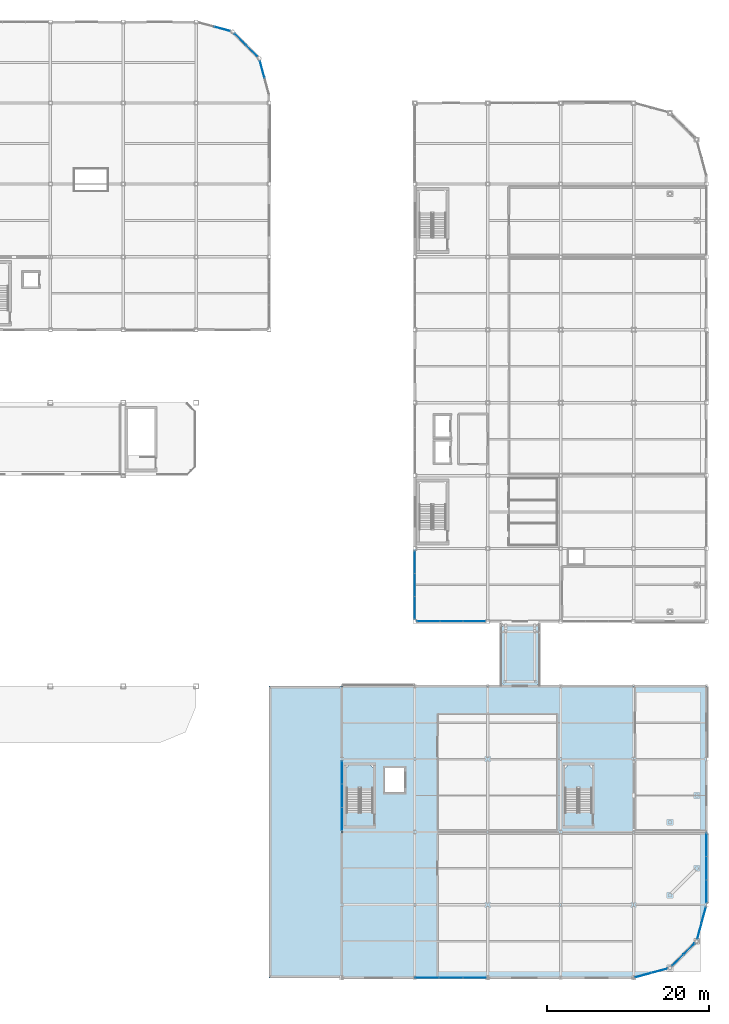
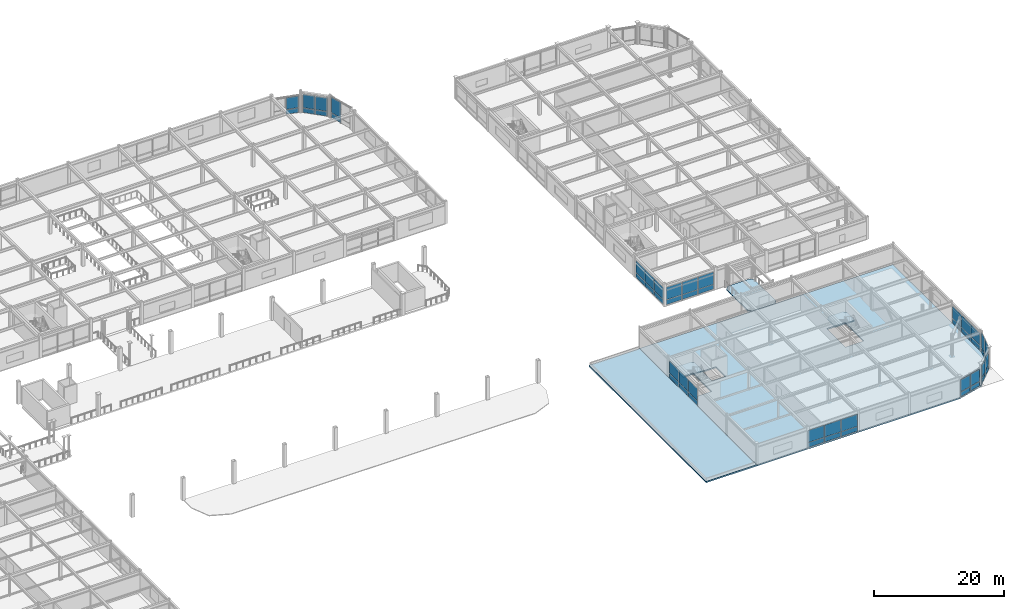
# One storey, part 65 of 105: 50 plates, 5 slabs, 13 elements without a shape of their own.
"""IFC4 building model written with IfcOpenShell, lengths in metres."""

import ifcopenshell
import ifcopenshell.guid

model = None  # the IFC model being written
_history = None  # IfcOwnerHistory: only IFC2X3 demands one
_inside = {}  # id of a spatial element -> (the spatial element, [elements in it])
_under = {}  # id of a project, library or spatial element -> (it, [spatial elements below it])
_declared = {}  # id of a project -> (the project, [libraries it declares])
_typed = {}  # id of a type object -> (the type object, [elements of that type])
_made_of = {}  # id of a material, layer set ... -> (it, [elements and type objects made of it])


def new_model(schema):
    """Start an empty IFC model of exactly this schema.

    Asked for "IFC4X3", IfcOpenShell would pick the latest addendum, in which some entities
    have other attributes; the version numbers below select the first issue.
    IFC2X3 requires an IfcOwnerHistory on every rooted entity: one is made here for all.
    """
    global model, _history
    if schema == "IFC4X3":
        model = ifcopenshell.file(schema_version=(4, 3, 0, 0))
    else:
        model = ifcopenshell.file(schema=schema)
    _inside.clear()
    _under.clear()
    _declared.clear()
    _typed.clear()
    _made_of.clear()
    _history = None
    if model.schema == "IFC2X3":
        org = make("IfcOrganization", Name="unknown")
        user = make(
            "IfcPersonAndOrganization",
            ThePerson=make("IfcPerson", FamilyName="unknown"),
            TheOrganization=org,
        )
        app = make(
            "IfcApplication",
            ApplicationDeveloper=org,
            Version="unknown",
            ApplicationFullName="unknown",
            ApplicationIdentifier="unknown",
        )
        _history = make(
            "IfcOwnerHistory",
            OwningUser=user,
            OwningApplication=app,
            ChangeAction="ADDED",
            CreationDate=0,
        )
    return model


def make(cls, **values):
    """One entity of the class cls with the attributes given. An attribute that is None is left unset."""
    return model.create_entity(
        cls, **{name: value for name, value in values.items() if value is not None}
    )


def rooted(cls, **values):
    """An entity with a GlobalId (a new one), such as an element, a storey or a relation."""
    return make(cls, GlobalId=ifcopenshell.guid.new(), OwnerHistory=_history, **values)


def si_unit(unit_type, name, prefix=None):
    """IfcSIUnit, for example si_unit("LENGTHUNIT", "METRE", prefix="MILLI")."""
    return make("IfcSIUnit", UnitType=unit_type, Prefix=prefix, Name=name)


def assignment(units):
    """IfcUnitAssignment: the units of a project."""
    return None if units is None else make("IfcUnitAssignment", Units=units)


def point(xyz):
    """IfcCartesianPoint."""
    return None if xyz is None else make("IfcCartesianPoint", Coordinates=xyz)


def direction(xyz):
    """IfcDirection."""
    return None if xyz is None else make("IfcDirection", DirectionRatios=xyz)


def frame(location, z_axis=None, x_axis=None):
    """IfcAxis2Placement3D, a coordinate frame: its origin and axes. An axis left out is left unset."""
    return make(
        "IfcAxis2Placement3D",
        Location=point(location),
        Axis=direction(z_axis),
        RefDirection=direction(x_axis),
    )


def frame_2d(location, x_axis=None):
    """IfcAxis2Placement2D, a coordinate frame in the plane: its origin and x axis."""
    return make(
        "IfcAxis2Placement2D", Location=point(location), RefDirection=direction(x_axis)
    )


def origin():
    """The frame at (0, 0, 0) with its axes left unset."""
    return frame((0.0, 0.0, 0.0))


def origin_2d():
    """The frame at (0, 0) in the plane with its x axis left unset."""
    return frame_2d((0.0, 0.0))


def place(relative_to, where):
    """IfcLocalPlacement: puts the frame where relative to a parent placement (None: the world)."""
    return make(
        "IfcLocalPlacement", PlacementRelTo=relative_to, RelativePlacement=where
    )


def context(
    kind, dimensions, precision=None, world=None, true_north=None, identifier=None
):
    """IfcGeometricRepresentationContext, for example the 3D "Model" context."""
    return make(
        "IfcGeometricRepresentationContext",
        ContextIdentifier=identifier,
        ContextType=kind,
        CoordinateSpaceDimension=dimensions,
        Precision=precision,
        WorldCoordinateSystem=world,
        TrueNorth=true_north,
    )


def subcontext(parent, identifier, kind, view, scale=None):
    """IfcGeometricRepresentationSubContext, for example "Body" below "Model"."""
    return make(
        "IfcGeometricRepresentationSubContext",
        ContextIdentifier=identifier,
        ContextType=kind,
        ParentContext=parent,
        TargetScale=scale,
        TargetView=view,
    )


def project(units=None, contexts=None):
    """IfcProject with its units and contexts."""
    return rooted(
        "IfcProject",
        Name="project",
        RepresentationContexts=contexts,
        UnitsInContext=assignment(units),
    )


def spatial(cls, under=None, at=None, **own):
    """A site, building, storey or space (cls), placed at a placement, below another one or the project."""
    s = rooted(cls, ObjectPlacement=at, **own)
    if under is not None:
        _under.setdefault(under.id(), (under, []))[1].append(s)
    return s


def polyline(points):
    """IfcPolyline through the points."""
    return make("IfcPolyline", Points=[point(p) for p in points])


def profile(cls, at=None, kind="AREA", **sizes):
    """A parametric profile (cls). Its sizes go by their IFC names, for example OverallWidth=200.0."""
    return make(cls, ProfileType=kind, Position=at, **sizes)


def rectangle(**sizes):
    """IfcRectangleProfileDef."""
    return profile("IfcRectangleProfileDef", **sizes)


def outline(outer, holes=None, kind="AREA"):
    """IfcArbitraryClosedProfileDef: a profile drawn as a closed curve; with holes, ...WithVoids."""
    if holes is None:
        return make("IfcArbitraryClosedProfileDef", ProfileType=kind, OuterCurve=outer)
    return make(
        "IfcArbitraryProfileDefWithVoids",
        ProfileType=kind,
        OuterCurve=outer,
        InnerCurves=holes,
    )


def extrude(swept, where, along, depth):
    """IfcExtrudedAreaSolid: the profile swept, set in the frame where, extruded along a direction by depth."""
    return make(
        "IfcExtrudedAreaSolid",
        SweptArea=swept,
        Position=where,
        ExtrudedDirection=direction(along),
        Depth=depth,
    )


def shape(context_of_items, identifier, shape_type, items):
    """IfcShapeRepresentation: the items that make up one representation, for example the "Body"."""
    return make(
        "IfcShapeRepresentation",
        ContextOfItems=context_of_items,
        RepresentationIdentifier=identifier,
        RepresentationType=shape_type,
        Items=items,
    )


def material(Name=None, Category=None):
    """IfcMaterial."""
    return make("IfcMaterial", Name=Name, Category=Category)


def layer(
    of_material, thickness, ventilated=None, Name=None, Category=None, Priority=None
):
    """IfcMaterialLayer: one layer of a wall or slab, of a material (None: an air gap)."""
    return make(
        "IfcMaterialLayer",
        Material=of_material,
        LayerThickness=thickness,
        IsVentilated=ventilated,
        Name=Name,
        Category=Category,
        Priority=Priority,
    )


def layer_set(layers, Name=None):
    """IfcMaterialLayerSet."""
    return make("IfcMaterialLayerSet", MaterialLayers=layers, LayerSetName=Name)


def made_of(thing, what):
    """Note that an element or type object is made of a material, layer set ...; save() writes the relation."""
    if what is not None:
        _made_of.setdefault(what.id(), (what, []))[1].append(thing)
    return thing


def type_object(cls, material=None, **own):
    """A type object (cls), such as IfcWallType, which elements share."""
    return made_of(rooted(cls, **own), material)


def element(
    cls,
    number,
    at=None,
    inside=None,
    cuts=None,
    type_object=None,
    material=None,
    context=None,
    identifier="Body",
    shape_type=None,
    held_by="IfcProductDefinitionShape",
    body=None,
    shapes=None,
    **own,
):
    """One element of the class cls, such as IfcWall. Its Tag is "e" and its number.

    at: its placement. inside: the storey or other place that contains it. cuts: it is an
    opening in that element (IfcRelVoidsElement). A single representation is given by context,
    identifier, shape_type and body (its items); several are given by shapes. held_by: the class
    of the entity that holds the representations. save() writes the other relations.
    """
    e = rooted(cls, Tag="e%d" % number, ObjectPlacement=at, **own)
    if body is not None:
        shapes = [shape(context, identifier, shape_type, body)]
    if shapes is not None:
        e.Representation = make(held_by, Representations=shapes)
    if inside is not None:
        _inside.setdefault(inside.id(), (inside, []))[1].append(e)
    if cuts is not None:
        rooted(
            "IfcRelVoidsElement", RelatingBuildingElement=cuts, RelatedOpeningElement=e
        )
    if type_object is not None:
        _typed.setdefault(type_object.id(), (type_object, []))[1].append(e)
    return made_of(e, material)


def aggregate(whole, parts):
    """IfcRelAggregates: a whole, such as a stair, and the parts it consists of."""
    return rooted("IfcRelAggregates", RelatingObject=whole, RelatedObjects=parts)


def save(model, path):
    """Write the relations noted so far, then the file.

    IfcRelAggregates (storeys below a building ...), IfcRelContainedInSpatialStructure (elements
    in a storey), IfcRelDefinesByType, IfcRelAssociatesMaterial and IfcRelDeclares: one each for
    every whole, place, type object, material and project.
    """
    for whole, parts in _under.values():
        aggregate(whole, parts)
    for where, things in _inside.values():
        rooted(
            "IfcRelContainedInSpatialStructure",
            RelatedElements=things,
            RelatingStructure=where,
        )
    for kind, things in _typed.values():
        rooted("IfcRelDefinesByType", RelatedObjects=things, RelatingType=kind)
    for what, things in _made_of.values():
        rooted("IfcRelAssociatesMaterial", RelatedObjects=things, RelatingMaterial=what)
    for by, libraries in _declared.values():
        rooted("IfcRelDeclares", RelatingContext=by, RelatedDefinitions=libraries)
    model.write(path)


model = new_model("IFC4")

# Units and contexts
model_context = context("Model", 3, precision=1e-05, world=origin(), true_north=direction((0.0, 1.0)))
body_context = subcontext(model_context, "Body", "Model", "MODEL_VIEW")
ifc_project = project(units=[si_unit("LENGTHUNIT", "METRE"), si_unit("AREAUNIT", "SQUARE_METRE"), si_unit("VOLUMEUNIT", "CUBIC_METRE"), si_unit("PLANEANGLEUNIT", "RADIAN"), si_unit("MASSUNIT", "GRAM", prefix="KILO")], contexts=[model_context])

# Site, building, storey
site_placement = place(None, origin())
site = spatial("IfcSite", under=ifc_project, at=site_placement, CompositionType="ELEMENT")
building_placement = place(site_placement, origin())
building = spatial("IfcBuilding", under=site, at=building_placement, Name="Suzunagisa Mobility Hub", CompositionType="ELEMENT")
storey_placement = place(building_placement, frame((0.0, 0.0, 5.10009765625)))
storey = spatial("IfcBuildingStorey", under=building, at=storey_placement, Name="L01", CompositionType="ELEMENT", Elevation=5.10009765625)

# Slabs
ifc_material_1 = material(Name="Concrete C35/45", Category="concrete")
ifc_layer_1 = layer(ifc_material_1, 0.260009765625)
ifc_layer_set_1 = layer_set([ifc_layer_1], Name="Concrete C35/45")
slab_type_1 = type_object("IfcSlabType", Name="Composite Slab SL-12 260mm", PredefinedType="FLOOR", material=ifc_layer_set_1)
slab_1_placement = place(storey_placement, frame((0.0, 0.0, -0.260009765625)))
element("IfcSlab", 1, at=slab_1_placement, inside=storey, type_object=slab_type_1, Name="L01 V6S Floor Slab", PredefinedType="FLOOR", context=body_context, shape_type="SweptSolid", body=[
    extrude(outline(polyline([(135.0, 0.0), (171.0, 0.0), (175.5, 1.205810546875), (178.794189453125, 4.5), (180.0, 9.0), (180.0, 36.0), (135.0, 36.0), (135.0, 0.0)]), holes=[polyline([(135.56005859375, 20.47998046875), (138.840087890625, 20.47998046875), (138.840087890625, 26.199951171875), (135.56005859375, 26.199951171875), (135.56005859375, 20.47998046875)]), polyline([(140.320068359375, 22.919921875), (142.679931640625, 22.919921875), (142.679931640625, 25.8798828125), (140.320068359375, 25.8798828125), (140.320068359375, 22.919921875)]), polyline([(162.56005859375, 20.47998046875), (165.840087890625, 20.47998046875), (165.840087890625, 26.199951171875), (162.56005859375, 26.199951171875), (162.56005859375, 20.47998046875)])]), origin(), (0.0, 0.0, 1.0), 0.260009765625),
])
ifc_material_2 = material(Name="Concrete C30/37", Category="concrete")
ifc_layer_2 = layer(ifc_material_2, 0.239990234375)
ifc_layer_set_2 = layer_set([ifc_layer_2], Name="Concrete C30/37")
slab_type_2 = type_object("IfcSlabType", Name="Composite Slab SL-14 240mm", PredefinedType="FLOOR", material=ifc_layer_set_2)
slab_2_placement = place(storey_placement, frame((0.0, 0.0, -0.239990234375)))
element("IfcSlab", 2, at=slab_2_placement, inside=storey, type_object=slab_type_2, Name="L01 Bridge Deck SB-03", PredefinedType="FLOOR", context=body_context, shape_type="SweptSolid", body=[
    extrude(outline(polyline([(155.050048828125, 36.0), (158.949951171875, 36.0), (159.5, 36.550048828125), (159.5, 43.10009765625), (158.949951171875, 43.64990234375), (155.050048828125, 43.64990234375), (154.5, 43.10009765625), (154.5, 36.550048828125), (155.050048828125, 36.0)])), origin(), (0.0, 0.0, 1.0), 0.239990234375),
])
ifc_layer_3 = layer(ifc_material_2, 0.260009765625)
ifc_layer_set_3 = layer_set([ifc_layer_3], Name="Concrete C30/37")
slab_type_3 = type_object("IfcSlabType", Name="Composite Slab SL-17 260mm", PredefinedType="ROOF", material=ifc_layer_set_3)
slab_3_placement = place(storey_placement, frame((0.0, 0.0, -0.260009765625)))
element("IfcSlab", 3, at=slab_3_placement, inside=storey, type_object=slab_type_3, Name="L01 V6S Roof Slab", PredefinedType="ROOF", context=body_context, shape_type="SweptSolid", body=[
    extrude(outline(polyline([(126.0, 0.0), (135.0, 0.0), (135.0, 36.0), (126.0, 36.0), (126.0, 0.0)])), origin(), (0.0, 0.0, 1.0), 0.260009765625),
])

# Stair, slab
stair_type_1 = type_object("IfcStairType", Name="Dog-Leg Core Escape Stair ST-09 W1560", PredefinedType="HALF_TURN_STAIR", material=ifc_material_1)
stair_1_placement = place(storey_placement, origin())
stair_1 = element("IfcStair", 4, at=stair_1_placement, inside=storey, type_object=stair_type_1, Name="L01 Core C7 Escape Stair ST-09", PredefinedType="HALF_TURN_STAIR")
ifc_layer_4 = layer(ifc_material_1, 0.199951171875)
ifc_layer_set_4 = layer_set([ifc_layer_4], Name="Concrete C35/45")
slab_type_4 = type_object("IfcSlabType", Name="Core Stair Half-Landing Slab SL-SLND", PredefinedType="LANDING", material=ifc_layer_set_4)
slab_4_placement = place(storey_placement, frame((0.0, 0.0, 1.89990234375)))
slab_4 = element("IfcSlab", 5, at=slab_4_placement, type_object=slab_type_4, Name="ST-09 landing 1", PredefinedType="LANDING", context=body_context, shape_type="SweptSolid", body=[
    extrude(outline(polyline([(135.4599609375, 23.360107421875), (138.93994140625, 23.360107421875), (138.93994140625, 25.820068359375), (138.4599609375, 26.300048828125), (135.93994140625, 26.300048828125), (135.4599609375, 25.820068359375), (135.4599609375, 23.360107421875)])), origin(), (0.0, 0.0, 1.0), 0.199951171875),
])
aggregate(stair_1, [slab_4])

stair_type_2 = type_object("IfcStairType", Name="Dog-Leg Core Escape Stair ST-10 W1560", PredefinedType="HALF_TURN_STAIR", material=ifc_material_1)
stair_2_placement = place(storey_placement, origin())
stair_2 = element("IfcStair", 6, at=stair_2_placement, inside=storey, type_object=stair_type_2, Name="L01 Core C7B Escape Stair ST-10", PredefinedType="HALF_TURN_STAIR")
slab_5_placement = place(storey_placement, frame((0.0, 0.0, 1.89990234375)))
slab_5 = element("IfcSlab", 7, at=slab_5_placement, type_object=slab_type_4, Name="ST-10 landing 1", PredefinedType="LANDING", context=body_context, shape_type="SweptSolid", body=[
    extrude(outline(polyline([(162.4599609375, 23.360107421875), (165.93994140625, 23.360107421875), (165.93994140625, 25.820068359375), (165.4599609375, 26.300048828125), (162.93994140625, 26.300048828125), (162.4599609375, 25.820068359375), (162.4599609375, 23.360107421875)])), origin(), (0.0, 0.0, 1.0), 0.199951171875),
])
aggregate(stair_2, [slab_5])

# Curtain wall, plates
ifc_material_3 = material(Name="Thermally Broken Anodized Aluminum and Low-E Glazing", Category="aluminium")
curtain_wall_type_1 = type_object("IfcCurtainWallType", Name="Unitised Curtain Wall CW-48 4500x3900", PredefinedType="USERDEFINED", material=ifc_material_3)
curtain_wall_1_placement = place(storey_placement, origin())
curtain_wall_1 = element("IfcCurtainWall", 8, at=curtain_wall_1_placement, inside=storey, type_object=curtain_wall_type_1, Name="L01 Unitised Curtain Wall CW-104", ObjectType="UNITISED CURTAIN WALL", PredefinedType="USERDEFINED")
ifc_material_4 = material(Name="Low-E Solar-Control Double Glazing", Category="glass")
ifc_layer_5 = layer(ifc_material_4, 0.028076171875)
ifc_layer_set_5 = layer_set([ifc_layer_5], Name="Low-E Solar-Control Double Glazing")
plate_type = type_object("IfcPlateType", Name="Low-E Double Glazed Curtain Panel GP-01 28mm", PredefinedType="CURTAIN_PANEL", material=ifc_layer_set_5)
plate_1_placement = place(storey_placement, frame((125.15380859375, 112.15771484375, 0.05810546875), z_axis=(0.0, 0.0, 1.0), x_axis=(-0.258815230137, 0.965926848498, 0.0)))
plate_1 = element("IfcPlate", 9, at=plate_1_placement, type_object=plate_type, Name="Curtain Wall Glazing Panel 104-P2.1", PredefinedType="CURTAIN_PANEL", context=body_context, shape_type="SweptSolid", body=[
    extrude(rectangle(XDim=2.103515625, YDim=0.028076171875, at=origin_2d()), origin(), (0.0, 0.0, 1.0), 0.864013671875),
])
plate_2_placement = place(storey_placement, frame((125.15380859375, 112.15771484375, 0.97802734375), z_axis=(0.0, 0.0, 1.0), x_axis=(-0.258815230137, 0.965926848498, 0.0)))
plate_2 = element("IfcPlate", 10, at=plate_2_placement, type_object=plate_type, Name="Curtain Wall Glazing Panel 104-P2.2", PredefinedType="CURTAIN_PANEL", context=body_context, shape_type="SweptSolid", body=[
    extrude(rectangle(XDim=2.103515625, YDim=0.028076171875, at=origin_2d()), origin(), (0.0, 0.0, 1.0), 2.904052734375),
])
aggregate(curtain_wall_1, [plate_1, plate_2])

curtain_wall_type_2 = type_object("IfcCurtainWallType", Name="Unitised Curtain Wall CW-23 4000x3500", PredefinedType="USERDEFINED", material=ifc_material_3)
curtain_wall_2_placement = place(storey_placement, origin())
curtain_wall_2 = element("IfcCurtainWall", 11, at=curtain_wall_2_placement, inside=storey, type_object=curtain_wall_type_2, Name="L01 Unitised Curtain Wall CW-105", ObjectType="UNITISED CURTAIN WALL", PredefinedType="USERDEFINED")
plate_3_placement = place(storey_placement, frame((123.845703125, 114.448486328125, 0.05810546875), z_axis=(0.0, 0.0, 1.0), x_axis=(-0.707106781187, 0.707106781187, 0.0)))
plate_3 = element("IfcPlate", 12, at=plate_3_placement, type_object=plate_type, Name="Curtain Wall Glazing Panel 105-P1.1", PredefinedType="CURTAIN_PANEL", context=body_context, shape_type="SweptSolid", body=[
    extrude(rectangle(XDim=1.920166015625, YDim=0.028076171875, at=origin_2d()), origin(), (0.0, 0.0, 1.0), 0.864013671875),
])
plate_4_placement = place(storey_placement, frame((123.845703125, 114.448486328125, 0.97802734375), z_axis=(0.0, 0.0, 1.0), x_axis=(-0.707106781187, 0.707106781187, 0.0)))
plate_4 = element("IfcPlate", 13, at=plate_4_placement, type_object=plate_type, Name="Curtain Wall Glazing Panel 105-P1.2", PredefinedType="CURTAIN_PANEL", context=body_context, shape_type="SweptSolid", body=[
    extrude(rectangle(XDim=1.920166015625, YDim=0.028076171875, at=origin_2d()), origin(), (0.0, 0.0, 1.0), 2.50390625),
])
plate_5_placement = place(storey_placement, frame((122.448486328125, 115.845703125, 0.05810546875), z_axis=(0.0, 0.0, 1.0), x_axis=(-0.707106781187, 0.707106781187, 0.0)))
plate_5 = element("IfcPlate", 14, at=plate_5_placement, type_object=plate_type, Name="Curtain Wall Glazing Panel 105-P2.1", PredefinedType="CURTAIN_PANEL", context=body_context, shape_type="SweptSolid", body=[
    extrude(rectangle(XDim=1.919921875, YDim=0.028076171875, at=origin_2d()), origin(), (0.0, 0.0, 1.0), 0.864013671875),
])
plate_6_placement = place(storey_placement, frame((122.448486328125, 115.845703125, 0.97802734375), z_axis=(0.0, 0.0, 1.0), x_axis=(-0.707106781187, 0.707106781187, 0.0)))
plate_6 = element("IfcPlate", 15, at=plate_6_placement, type_object=plate_type, Name="Curtain Wall Glazing Panel 105-P2.2", PredefinedType="CURTAIN_PANEL", context=body_context, shape_type="SweptSolid", body=[
    extrude(rectangle(XDim=1.919921875, YDim=0.028076171875, at=origin_2d()), origin(), (0.0, 0.0, 1.0), 2.50390625),
])
aggregate(curtain_wall_2, [plate_3, plate_4, plate_5, plate_6])

curtain_wall_type_3 = type_object("IfcCurtainWallType", Name="Unitised Curtain Wall CW-31 4000x3200", PredefinedType="USERDEFINED", material=ifc_material_3)
curtain_wall_3_placement = place(storey_placement, origin())
curtain_wall_3 = element("IfcCurtainWall", 16, at=curtain_wall_3_placement, inside=storey, type_object=curtain_wall_type_3, Name="L01 Unitised Curtain Wall CW-106", ObjectType="UNITISED CURTAIN WALL", PredefinedType="USERDEFINED")
plate_7_placement = place(storey_placement, frame((120.224365234375, 117.135986328125, 0.05810546875), z_axis=(0.0, 0.0, 1.0), x_axis=(-0.965925206606, 0.258821357779, 0.0)))
plate_7 = element("IfcPlate", 17, at=plate_7_placement, type_object=plate_type, Name="Curtain Wall Glazing Panel 106-P1.1", PredefinedType="CURTAIN_PANEL", context=body_context, shape_type="SweptSolid", body=[
    extrude(rectangle(XDim=1.965576171875, YDim=0.028076171875, at=origin_2d()), origin(), (0.0, 0.0, 1.0), 0.864013671875),
])
plate_8_placement = place(storey_placement, frame((120.224365234375, 117.135986328125, 0.977783203125), z_axis=(0.0, 0.0, 1.0), x_axis=(-0.965925206606, 0.258821357779, 0.0)))
plate_8 = element("IfcPlate", 18, at=plate_8_placement, type_object=plate_type, Name="Curtain Wall Glazing Panel 106-P1.2", PredefinedType="CURTAIN_PANEL", context=body_context, shape_type="SweptSolid", body=[
    extrude(rectangle(XDim=1.965576171875, YDim=0.028076171875, at=origin_2d()), origin(), (0.0, 0.0, 1.0), 2.2041015625),
])
aggregate(curtain_wall_3, [plate_7, plate_8])

curtain_wall_type_4 = type_object("IfcCurtainWallType", Name="Unitised Curtain Wall CW-11 9000x3300", PredefinedType="USERDEFINED", material=ifc_material_3)
curtain_wall_4_placement = place(storey_placement, origin())
curtain_wall_4 = element("IfcCurtainWall", 19, at=curtain_wall_4_placement, inside=storey, type_object=curtain_wall_type_4, Name="L01 Unitised Curtain Wall CW-149", ObjectType="UNITISED CURTAIN WALL", PredefinedType="USERDEFINED")
plate_9_placement = place(storey_placement, frame((145.502197265625, 0.0, 0.06298828125), z_axis=(0.0, 0.0, 1.0), x_axis=(1.0, 0.0, 0.0)))
plate_9 = element("IfcPlate", 20, at=plate_9_placement, type_object=plate_type, Name="Curtain Wall Glazing Panel 149-P1.1", PredefinedType="CURTAIN_PANEL", context=body_context, shape_type="SweptSolid", body=[
    extrude(rectangle(XDim=2.879150390625, YDim=0.028076171875, at=origin_2d()), origin(), (0.0, 0.0, 1.0), 0.8564453125),
])
plate_10_placement = place(storey_placement, frame((145.502197265625, 0.0, 0.980224609375), z_axis=(0.0, 0.0, 1.0), x_axis=(1.0, 0.0, 0.0)))
plate_10 = element("IfcPlate", 21, at=plate_10_placement, type_object=plate_type, Name="Curtain Wall Glazing Panel 149-P1.2", PredefinedType="CURTAIN_PANEL", context=body_context, shape_type="SweptSolid", body=[
    extrude(rectangle(XDim=2.879150390625, YDim=0.028076171875, at=origin_2d()), origin(), (0.0, 0.0, 1.0), 2.24658203125),
])
plate_11_placement = place(storey_placement, frame((148.452392578125, 0.0, 0.06298828125), z_axis=(0.0, 0.0, 1.0), x_axis=(1.0, 0.0, 0.0)))
plate_11 = element("IfcPlate", 22, at=plate_11_placement, type_object=plate_type, Name="Curtain Wall Glazing Panel 149-P2.1", PredefinedType="CURTAIN_PANEL", context=body_context, shape_type="SweptSolid", body=[
    extrude(rectangle(XDim=2.9091796875, YDim=0.028076171875, at=origin_2d()), origin(), (0.0, 0.0, 1.0), 0.8564453125),
])
plate_12_placement = place(storey_placement, frame((148.452392578125, 0.0, 0.980224609375), z_axis=(0.0, 0.0, 1.0), x_axis=(1.0, 0.0, 0.0)))
plate_12 = element("IfcPlate", 23, at=plate_12_placement, type_object=plate_type, Name="Curtain Wall Glazing Panel 149-P2.2", PredefinedType="CURTAIN_PANEL", context=body_context, shape_type="SweptSolid", body=[
    extrude(rectangle(XDim=2.9091796875, YDim=0.028076171875, at=origin_2d()), origin(), (0.0, 0.0, 1.0), 2.24658203125),
])
plate_13_placement = place(storey_placement, frame((151.40234375, 0.0, 0.06298828125), z_axis=(0.0, 0.0, 1.0), x_axis=(1.0, 0.0, 0.0)))
plate_13 = element("IfcPlate", 24, at=plate_13_placement, type_object=plate_type, Name="Curtain Wall Glazing Panel 149-P3.1", PredefinedType="CURTAIN_PANEL", context=body_context, shape_type="SweptSolid", body=[
    extrude(rectangle(XDim=2.879150390625, YDim=0.028076171875, at=origin_2d()), origin(), (0.0, 0.0, 1.0), 0.8564453125),
])
plate_14_placement = place(storey_placement, frame((151.40234375, 0.0, 0.980224609375), z_axis=(0.0, 0.0, 1.0), x_axis=(1.0, 0.0, 0.0)))
plate_14 = element("IfcPlate", 25, at=plate_14_placement, type_object=plate_type, Name="Curtain Wall Glazing Panel 149-P3.2", PredefinedType="CURTAIN_PANEL", context=body_context, shape_type="SweptSolid", body=[
    extrude(rectangle(XDim=2.879150390625, YDim=0.028076171875, at=origin_2d()), origin(), (0.0, 0.0, 1.0), 2.24658203125),
])
aggregate(curtain_wall_4, [plate_9, plate_10, plate_11, plate_12, plate_13, plate_14])

curtain_wall_type_5 = type_object("IfcCurtainWallType", Name="Unitised Curtain Wall CW-06 4250x3300", PredefinedType="USERDEFINED", material=ifc_material_3)
curtain_wall_5_placement = place(storey_placement, origin())
curtain_wall_5 = element("IfcCurtainWall", 26, at=curtain_wall_5_placement, inside=storey, type_object=curtain_wall_type_5, Name="L01 Unitised Curtain Wall CW-150", ObjectType="UNITISED CURTAIN WALL", PredefinedType="USERDEFINED")
plate_15_placement = place(storey_placement, frame((172.169921875, 0.3134765625, 0.05810546875), z_axis=(0.0, 0.0, 1.0), x_axis=(0.965924067649, 0.258825608346, 0.0)))
plate_15 = element("IfcPlate", 27, at=plate_15_placement, type_object=plate_type, Name="Curtain Wall Glazing Panel 150-P1.1", PredefinedType="CURTAIN_PANEL", context=body_context, shape_type="SweptSolid", body=[
    extrude(rectangle(XDim=2.03564453125, YDim=0.028076171875, at=origin_2d()), origin(), (0.0, 0.0, 1.0), 0.864013671875),
])
plate_16_placement = place(storey_placement, frame((172.169921875, 0.3134765625, 0.97802734375), z_axis=(0.0, 0.0, 1.0), x_axis=(0.965924067649, 0.258825608346, 0.0)))
plate_16 = element("IfcPlate", 28, at=plate_16_placement, type_object=plate_type, Name="Curtain Wall Glazing Panel 150-P1.2", PredefinedType="CURTAIN_PANEL", context=body_context, shape_type="SweptSolid", body=[
    extrude(rectangle(XDim=2.03564453125, YDim=0.028076171875, at=origin_2d()), origin(), (0.0, 0.0, 1.0), 2.25390625),
])
plate_17_placement = place(storey_placement, frame((174.1904296875, 0.854736328125, 0.05810546875), z_axis=(0.0, 0.0, 1.0), x_axis=(0.965924067649, 0.258825608346, 0.0)))
plate_17 = element("IfcPlate", 29, at=plate_17_placement, type_object=plate_type, Name="Curtain Wall Glazing Panel 150-P2.1", PredefinedType="CURTAIN_PANEL", context=body_context, shape_type="SweptSolid", body=[
    extrude(rectangle(XDim=2.03564453125, YDim=0.028076171875, at=origin_2d()), origin(), (0.0, 0.0, 1.0), 0.864013671875),
])
plate_18_placement = place(storey_placement, frame((174.1904296875, 0.854736328125, 0.97802734375), z_axis=(0.0, 0.0, 1.0), x_axis=(0.965924067649, 0.258825608346, 0.0)))
plate_18 = element("IfcPlate", 30, at=plate_18_placement, type_object=plate_type, Name="Curtain Wall Glazing Panel 150-P2.2", PredefinedType="CURTAIN_PANEL", context=body_context, shape_type="SweptSolid", body=[
    extrude(rectangle(XDim=2.03564453125, YDim=0.028076171875, at=origin_2d()), origin(), (0.0, 0.0, 1.0), 2.25390625),
])
aggregate(curtain_wall_5, [plate_15, plate_16, plate_17, plate_18])

curtain_wall_6_placement = place(storey_placement, origin())
curtain_wall_6 = element("IfcCurtainWall", 31, at=curtain_wall_6_placement, inside=storey, type_object=curtain_wall_type_2, Name="L01 Unitised Curtain Wall CW-151", ObjectType="UNITISED CURTAIN WALL", PredefinedType="USERDEFINED")
plate_19_placement = place(storey_placement, frame((176.448486328125, 2.154296875, 0.05810546875), z_axis=(0.0, 0.0, 1.0), x_axis=(0.707106781187, 0.707106781187, 0.0)))
plate_19 = element("IfcPlate", 32, at=plate_19_placement, type_object=plate_type, Name="Curtain Wall Glazing Panel 151-P1.1", PredefinedType="CURTAIN_PANEL", context=body_context, shape_type="SweptSolid", body=[
    extrude(rectangle(XDim=1.920166015625, YDim=0.028076171875, at=origin_2d()), origin(), (0.0, 0.0, 1.0), 0.864013671875),
])
plate_20_placement = place(storey_placement, frame((176.448486328125, 2.154296875, 0.97802734375), z_axis=(0.0, 0.0, 1.0), x_axis=(0.707106781187, 0.707106781187, 0.0)))
plate_20 = element("IfcPlate", 33, at=plate_20_placement, type_object=plate_type, Name="Curtain Wall Glazing Panel 151-P1.2", PredefinedType="CURTAIN_PANEL", context=body_context, shape_type="SweptSolid", body=[
    extrude(rectangle(XDim=1.920166015625, YDim=0.028076171875, at=origin_2d()), origin(), (0.0, 0.0, 1.0), 2.50390625),
])
plate_21_placement = place(storey_placement, frame((177.845703125, 3.551513671875, 0.05810546875), z_axis=(0.0, 0.0, 1.0), x_axis=(0.707106781187, 0.707106781187, 0.0)))
plate_21 = element("IfcPlate", 34, at=plate_21_placement, type_object=plate_type, Name="Curtain Wall Glazing Panel 151-P2.1", PredefinedType="CURTAIN_PANEL", context=body_context, shape_type="SweptSolid", body=[
    extrude(rectangle(XDim=1.919921875, YDim=0.028076171875, at=origin_2d()), origin(), (0.0, 0.0, 1.0), 0.864013671875),
])
plate_22_placement = place(storey_placement, frame((177.845703125, 3.551513671875, 0.97802734375), z_axis=(0.0, 0.0, 1.0), x_axis=(0.707106781187, 0.707106781187, 0.0)))
plate_22 = element("IfcPlate", 35, at=plate_22_placement, type_object=plate_type, Name="Curtain Wall Glazing Panel 151-P2.2", PredefinedType="CURTAIN_PANEL", context=body_context, shape_type="SweptSolid", body=[
    extrude(rectangle(XDim=1.919921875, YDim=0.028076171875, at=origin_2d()), origin(), (0.0, 0.0, 1.0), 2.50390625),
])
aggregate(curtain_wall_6, [plate_19, plate_20, plate_21, plate_22])

curtain_wall_type_6 = type_object("IfcCurtainWallType", Name="Unitised Curtain Wall CW-27 4250x4000", PredefinedType="USERDEFINED", material=ifc_material_3)
curtain_wall_7_placement = place(storey_placement, origin())
curtain_wall_7 = element("IfcCurtainWall", 36, at=curtain_wall_7_placement, inside=storey, type_object=curtain_wall_type_6, Name="L01 Unitised Curtain Wall CW-152", ObjectType="UNITISED CURTAIN WALL", PredefinedType="USERDEFINED")
plate_23_placement = place(storey_placement, frame((179.13818359375, 5.783203125, 0.05810546875), z_axis=(0.0, 0.0, 1.0), x_axis=(0.258814277087, 0.965927103862, 0.0)))
plate_23 = element("IfcPlate", 37, at=plate_23_placement, type_object=plate_type, Name="Curtain Wall Glazing Panel 152-P1.1", PredefinedType="CURTAIN_PANEL", context=body_context, shape_type="SweptSolid", body=[
    extrude(rectangle(XDim=1.98095703125, YDim=0.028076171875, at=origin_2d()), origin(), (0.0, 0.0, 1.0), 0.864013671875),
])
plate_24_placement = place(storey_placement, frame((179.13818359375, 5.783203125, 0.977783203125), z_axis=(0.0, 0.0, 1.0), x_axis=(0.258814277087, 0.965927103862, 0.0)))
plate_24 = element("IfcPlate", 38, at=plate_24_placement, type_object=plate_type, Name="Curtain Wall Glazing Panel 152-P1.2", PredefinedType="CURTAIN_PANEL", context=body_context, shape_type="SweptSolid", body=[
    extrude(rectangle(XDim=1.98095703125, YDim=0.028076171875, at=origin_2d()), origin(), (0.0, 0.0, 1.0), 2.9140625),
])
plate_25_placement = place(storey_placement, frame((179.665283203125, 7.750732421875, 0.05810546875), z_axis=(0.0, 0.0, 1.0), x_axis=(0.258814277087, 0.965927103862, 0.0)))
plate_25 = element("IfcPlate", 39, at=plate_25_placement, type_object=plate_type, Name="Curtain Wall Glazing Panel 152-P2.1", PredefinedType="CURTAIN_PANEL", context=body_context, shape_type="SweptSolid", body=[
    extrude(rectangle(XDim=1.98095703125, YDim=0.028076171875, at=origin_2d()), origin(), (0.0, 0.0, 1.0), 0.864013671875),
])
plate_26_placement = place(storey_placement, frame((179.665283203125, 7.750732421875, 0.977783203125), z_axis=(0.0, 0.0, 1.0), x_axis=(0.258814277087, 0.965927103862, 0.0)))
plate_26 = element("IfcPlate", 40, at=plate_26_placement, type_object=plate_type, Name="Curtain Wall Glazing Panel 152-P2.2", PredefinedType="CURTAIN_PANEL", context=body_context, shape_type="SweptSolid", body=[
    extrude(rectangle(XDim=1.98095703125, YDim=0.028076171875, at=origin_2d()), origin(), (0.0, 0.0, 1.0), 2.9140625),
])
aggregate(curtain_wall_7, [plate_23, plate_24, plate_25, plate_26])

curtain_wall_type_7 = type_object("IfcCurtainWallType", Name="Unitised Curtain Wall CW-12 8750x3300", PredefinedType="USERDEFINED", material=ifc_material_3)
curtain_wall_8_placement = place(storey_placement, origin())
curtain_wall_8 = element("IfcCurtainWall", 41, at=curtain_wall_8_placement, inside=storey, type_object=curtain_wall_type_7, Name="L01 Unitised Curtain Wall CW-153", ObjectType="UNITISED CURTAIN WALL", PredefinedType="USERDEFINED")
plate_27_placement = place(storey_placement, frame((180.0, 10.656494140625, 0.06298828125), z_axis=(0.0, 0.0, 1.0), x_axis=(0.0, 1.0, 0.0)))
plate_27 = element("IfcPlate", 42, at=plate_27_placement, type_object=plate_type, Name="Curtain Wall Glazing Panel 153-P1.1", PredefinedType="CURTAIN_PANEL", context=body_context, shape_type="SweptSolid", body=[
    extrude(rectangle(XDim=2.79736328125, YDim=0.028076171875, at=origin_2d()), origin(), (0.0, 0.0, 1.0), 0.8564453125),
])
plate_28_placement = place(storey_placement, frame((180.0, 10.656494140625, 0.980224609375), z_axis=(0.0, 0.0, 1.0), x_axis=(0.0, 1.0, 0.0)))
plate_28 = element("IfcPlate", 43, at=plate_28_placement, type_object=plate_type, Name="Curtain Wall Glazing Panel 153-P1.2", PredefinedType="CURTAIN_PANEL", context=body_context, shape_type="SweptSolid", body=[
    extrude(rectangle(XDim=2.79736328125, YDim=0.028076171875, at=origin_2d()), origin(), (0.0, 0.0, 1.0), 2.24658203125),
])
plate_29_placement = place(storey_placement, frame((180.0, 13.52490234375, 0.06298828125), z_axis=(0.0, 0.0, 1.0), x_axis=(0.0, 1.0, 0.0)))
plate_29 = element("IfcPlate", 44, at=plate_29_placement, type_object=plate_type, Name="Curtain Wall Glazing Panel 153-P2.1", PredefinedType="CURTAIN_PANEL", context=body_context, shape_type="SweptSolid", body=[
    extrude(rectangle(XDim=2.827392578125, YDim=0.028076171875, at=origin_2d()), origin(), (0.0, 0.0, 1.0), 0.8564453125),
])
plate_30_placement = place(storey_placement, frame((180.0, 13.52490234375, 0.980224609375), z_axis=(0.0, 0.0, 1.0), x_axis=(0.0, 1.0, 0.0)))
plate_30 = element("IfcPlate", 45, at=plate_30_placement, type_object=plate_type, Name="Curtain Wall Glazing Panel 153-P2.2", PredefinedType="CURTAIN_PANEL", context=body_context, shape_type="SweptSolid", body=[
    extrude(rectangle(XDim=2.827392578125, YDim=0.028076171875, at=origin_2d()), origin(), (0.0, 0.0, 1.0), 2.24658203125),
])
plate_31_placement = place(storey_placement, frame((180.0, 16.393310546875, 0.06298828125), z_axis=(0.0, 0.0, 1.0), x_axis=(0.0, 1.0, 0.0)))
plate_31 = element("IfcPlate", 46, at=plate_31_placement, type_object=plate_type, Name="Curtain Wall Glazing Panel 153-P3.1", PredefinedType="CURTAIN_PANEL", context=body_context, shape_type="SweptSolid", body=[
    extrude(rectangle(XDim=2.79736328125, YDim=0.028076171875, at=origin_2d()), origin(), (0.0, 0.0, 1.0), 0.8564453125),
])
plate_32_placement = place(storey_placement, frame((180.0, 16.393310546875, 0.980224609375), z_axis=(0.0, 0.0, 1.0), x_axis=(0.0, 1.0, 0.0)))
plate_32 = element("IfcPlate", 47, at=plate_32_placement, type_object=plate_type, Name="Curtain Wall Glazing Panel 153-P3.2", PredefinedType="CURTAIN_PANEL", context=body_context, shape_type="SweptSolid", body=[
    extrude(rectangle(XDim=2.79736328125, YDim=0.028076171875, at=origin_2d()), origin(), (0.0, 0.0, 1.0), 2.24658203125),
])
aggregate(curtain_wall_8, [plate_27, plate_28, plate_29, plate_30, plate_31, plate_32])

curtain_wall_9_placement = place(storey_placement, origin())
curtain_wall_9 = element("IfcCurtainWall", 48, at=curtain_wall_9_placement, inside=storey, type_object=curtain_wall_type_7, Name="L01 Unitised Curtain Wall CW-154", ObjectType="UNITISED CURTAIN WALL", PredefinedType="USERDEFINED")
plate_33_placement = place(storey_placement, frame((135.0, 25.343505859375, 0.06298828125), z_axis=(0.0, 0.0, 1.0), x_axis=(0.0, -1.0, 0.0)))
plate_33 = element("IfcPlate", 49, at=plate_33_placement, type_object=plate_type, Name="Curtain Wall Glazing Panel 154-P1.1", PredefinedType="CURTAIN_PANEL", context=body_context, shape_type="SweptSolid", body=[
    extrude(rectangle(XDim=2.79736328125, YDim=0.028076171875, at=origin_2d()), origin(), (0.0, 0.0, 1.0), 0.8564453125),
])
plate_34_placement = place(storey_placement, frame((135.0, 25.343505859375, 0.980224609375), z_axis=(0.0, 0.0, 1.0), x_axis=(0.0, -1.0, 0.0)))
plate_34 = element("IfcPlate", 50, at=plate_34_placement, type_object=plate_type, Name="Curtain Wall Glazing Panel 154-P1.2", PredefinedType="CURTAIN_PANEL", context=body_context, shape_type="SweptSolid", body=[
    extrude(rectangle(XDim=2.79736328125, YDim=0.028076171875, at=origin_2d()), origin(), (0.0, 0.0, 1.0), 2.24658203125),
])
plate_35_placement = place(storey_placement, frame((135.0, 22.47509765625, 0.06298828125), z_axis=(0.0, 0.0, 1.0), x_axis=(0.0, -1.0, 0.0)))
plate_35 = element("IfcPlate", 51, at=plate_35_placement, type_object=plate_type, Name="Curtain Wall Glazing Panel 154-P2.1", PredefinedType="CURTAIN_PANEL", context=body_context, shape_type="SweptSolid", body=[
    extrude(rectangle(XDim=2.827392578125, YDim=0.028076171875, at=origin_2d()), origin(), (0.0, 0.0, 1.0), 0.8564453125),
])
plate_36_placement = place(storey_placement, frame((135.0, 22.47509765625, 0.980224609375), z_axis=(0.0, 0.0, 1.0), x_axis=(0.0, -1.0, 0.0)))
plate_36 = element("IfcPlate", 52, at=plate_36_placement, type_object=plate_type, Name="Curtain Wall Glazing Panel 154-P2.2", PredefinedType="CURTAIN_PANEL", context=body_context, shape_type="SweptSolid", body=[
    extrude(rectangle(XDim=2.827392578125, YDim=0.028076171875, at=origin_2d()), origin(), (0.0, 0.0, 1.0), 2.24658203125),
])
plate_37_placement = place(storey_placement, frame((135.0, 19.606689453125, 0.06298828125), z_axis=(0.0, 0.0, 1.0), x_axis=(0.0, -1.0, 0.0)))
plate_37 = element("IfcPlate", 53, at=plate_37_placement, type_object=plate_type, Name="Curtain Wall Glazing Panel 154-P3.1", PredefinedType="CURTAIN_PANEL", context=body_context, shape_type="SweptSolid", body=[
    extrude(rectangle(XDim=2.79736328125, YDim=0.028076171875, at=origin_2d()), origin(), (0.0, 0.0, 1.0), 0.8564453125),
])
plate_38_placement = place(storey_placement, frame((135.0, 19.606689453125, 0.980224609375), z_axis=(0.0, 0.0, 1.0), x_axis=(0.0, -1.0, 0.0)))
plate_38 = element("IfcPlate", 54, at=plate_38_placement, type_object=plate_type, Name="Curtain Wall Glazing Panel 154-P3.2", PredefinedType="CURTAIN_PANEL", context=body_context, shape_type="SweptSolid", body=[
    extrude(rectangle(XDim=2.79736328125, YDim=0.028076171875, at=origin_2d()), origin(), (0.0, 0.0, 1.0), 2.24658203125),
])
aggregate(curtain_wall_9, [plate_33, plate_34, plate_35, plate_36, plate_37, plate_38])

curtain_wall_type_8 = type_object("IfcCurtainWallType", Name="Unitised Curtain Wall CW-29 8500x3400", PredefinedType="USERDEFINED", material=ifc_material_3)
curtain_wall_10_placement = place(storey_placement, origin())
curtain_wall_10 = element("IfcCurtainWall", 55, at=curtain_wall_10_placement, inside=storey, type_object=curtain_wall_type_8, Name="L01 Unitised Curtain Wall CW-183", ObjectType="UNITISED CURTAIN WALL", PredefinedType="USERDEFINED")
plate_39_placement = place(storey_placement, frame((145.6650390625, 44.0, 0.06298828125), z_axis=(0.0, 0.0, 1.0), x_axis=(1.0, 0.0, 0.0)))
plate_39 = element("IfcPlate", 56, at=plate_39_placement, type_object=plate_type, Name="Curtain Wall Glazing Panel 183-P1.1", PredefinedType="CURTAIN_PANEL", context=body_context, shape_type="SweptSolid", body=[
    extrude(rectangle(XDim=2.763916015625, YDim=0.028076171875, at=origin_2d()), origin(), (0.0, 0.0, 1.0), 0.8564453125),
])
plate_40_placement = place(storey_placement, frame((145.6650390625, 44.0, 0.98046875), z_axis=(0.0, 0.0, 1.0), x_axis=(1.0, 0.0, 0.0)))
plate_40 = element("IfcPlate", 57, at=plate_40_placement, type_object=plate_type, Name="Curtain Wall Glazing Panel 183-P1.2", PredefinedType="CURTAIN_PANEL", context=body_context, shape_type="SweptSolid", body=[
    extrude(rectangle(XDim=2.763916015625, YDim=0.028076171875, at=origin_2d()), origin(), (0.0, 0.0, 1.0), 2.318603515625),
])
plate_41_placement = place(storey_placement, frame((148.5, 44.0, 0.06298828125), z_axis=(0.0, 0.0, 1.0), x_axis=(1.0, 0.0, 0.0)))
plate_41 = element("IfcPlate", 58, at=plate_41_placement, type_object=plate_type, Name="Curtain Wall Glazing Panel 183-P2.1", PredefinedType="CURTAIN_PANEL", context=body_context, shape_type="SweptSolid", body=[
    extrude(rectangle(XDim=2.7939453125, YDim=0.028076171875, at=origin_2d()), origin(), (0.0, 0.0, 1.0), 0.8564453125),
])
plate_42_placement = place(storey_placement, frame((148.5, 44.0, 0.98046875), z_axis=(0.0, 0.0, 1.0), x_axis=(1.0, 0.0, 0.0)))
plate_42 = element("IfcPlate", 59, at=plate_42_placement, type_object=plate_type, Name="Curtain Wall Glazing Panel 183-P2.2", PredefinedType="CURTAIN_PANEL", context=body_context, shape_type="SweptSolid", body=[
    extrude(rectangle(XDim=2.7939453125, YDim=0.028076171875, at=origin_2d()), origin(), (0.0, 0.0, 1.0), 2.318603515625),
])
plate_43_placement = place(storey_placement, frame((151.3349609375, 44.0, 0.06298828125), z_axis=(0.0, 0.0, 1.0), x_axis=(1.0, 0.0, 0.0)))
plate_43 = element("IfcPlate", 60, at=plate_43_placement, type_object=plate_type, Name="Curtain Wall Glazing Panel 183-P3.1", PredefinedType="CURTAIN_PANEL", context=body_context, shape_type="SweptSolid", body=[
    extrude(rectangle(XDim=2.763916015625, YDim=0.028076171875, at=origin_2d()), origin(), (0.0, 0.0, 1.0), 0.8564453125),
])
plate_44_placement = place(storey_placement, frame((151.3349609375, 44.0, 0.98046875), z_axis=(0.0, 0.0, 1.0), x_axis=(1.0, 0.0, 0.0)))
plate_44 = element("IfcPlate", 61, at=plate_44_placement, type_object=plate_type, Name="Curtain Wall Glazing Panel 183-P3.2", PredefinedType="CURTAIN_PANEL", context=body_context, shape_type="SweptSolid", body=[
    extrude(rectangle(XDim=2.763916015625, YDim=0.028076171875, at=origin_2d()), origin(), (0.0, 0.0, 1.0), 2.318603515625),
])
aggregate(curtain_wall_10, [plate_39, plate_40, plate_41, plate_42, plate_43, plate_44])

curtain_wall_type_9 = type_object("IfcCurtainWallType", Name="Unitised Curtain Wall CW-43 8500x3300", PredefinedType="USERDEFINED", material=ifc_material_3)
curtain_wall_11_placement = place(storey_placement, origin())
curtain_wall_11 = element("IfcCurtainWall", 62, at=curtain_wall_11_placement, inside=storey, type_object=curtain_wall_type_9, Name="L01 Unitised Curtain Wall CW-195", ObjectType="UNITISED CURTAIN WALL", PredefinedType="USERDEFINED")
plate_45_placement = place(storey_placement, frame((144.0, 51.3349609375, 0.06298828125), z_axis=(0.0, 0.0, 1.0), x_axis=(0.0, -1.0, 0.0)))
plate_45 = element("IfcPlate", 63, at=plate_45_placement, type_object=plate_type, Name="Curtain Wall Glazing Panel 195-P1.1", PredefinedType="CURTAIN_PANEL", context=body_context, shape_type="SweptSolid", body=[
    extrude(rectangle(XDim=2.763916015625, YDim=0.028076171875, at=origin_2d()), origin(), (0.0, 0.0, 1.0), 0.8564453125),
])
plate_46_placement = place(storey_placement, frame((144.0, 51.3349609375, 0.98046875), z_axis=(0.0, 0.0, 1.0), x_axis=(0.0, -1.0, 0.0)))
plate_46 = element("IfcPlate", 64, at=plate_46_placement, type_object=plate_type, Name="Curtain Wall Glazing Panel 195-P1.2", PredefinedType="CURTAIN_PANEL", context=body_context, shape_type="SweptSolid", body=[
    extrude(rectangle(XDim=2.763916015625, YDim=0.028076171875, at=origin_2d()), origin(), (0.0, 0.0, 1.0), 2.256591796875),
])
plate_47_placement = place(storey_placement, frame((144.0, 48.5, 0.06298828125), z_axis=(0.0, 0.0, 1.0), x_axis=(0.0, -1.0, 0.0)))
plate_47 = element("IfcPlate", 65, at=plate_47_placement, type_object=plate_type, Name="Curtain Wall Glazing Panel 195-P2.1", PredefinedType="CURTAIN_PANEL", context=body_context, shape_type="SweptSolid", body=[
    extrude(rectangle(XDim=2.7939453125, YDim=0.028076171875, at=origin_2d()), origin(), (0.0, 0.0, 1.0), 0.8564453125),
])
plate_48_placement = place(storey_placement, frame((144.0, 48.5, 0.98046875), z_axis=(0.0, 0.0, 1.0), x_axis=(0.0, -1.0, 0.0)))
plate_48 = element("IfcPlate", 66, at=plate_48_placement, type_object=plate_type, Name="Curtain Wall Glazing Panel 195-P2.2", PredefinedType="CURTAIN_PANEL", context=body_context, shape_type="SweptSolid", body=[
    extrude(rectangle(XDim=2.7939453125, YDim=0.028076171875, at=origin_2d()), origin(), (0.0, 0.0, 1.0), 2.256591796875),
])
plate_49_placement = place(storey_placement, frame((144.0, 45.6650390625, 0.06298828125), z_axis=(0.0, 0.0, 1.0), x_axis=(0.0, -1.0, 0.0)))
plate_49 = element("IfcPlate", 67, at=plate_49_placement, type_object=plate_type, Name="Curtain Wall Glazing Panel 195-P3.1", PredefinedType="CURTAIN_PANEL", context=body_context, shape_type="SweptSolid", body=[
    extrude(rectangle(XDim=2.763916015625, YDim=0.028076171875, at=origin_2d()), origin(), (0.0, 0.0, 1.0), 0.8564453125),
])
plate_50_placement = place(storey_placement, frame((144.0, 45.6650390625, 0.98046875), z_axis=(0.0, 0.0, 1.0), x_axis=(0.0, -1.0, 0.0)))
plate_50 = element("IfcPlate", 68, at=plate_50_placement, type_object=plate_type, Name="Curtain Wall Glazing Panel 195-P3.2", PredefinedType="CURTAIN_PANEL", context=body_context, shape_type="SweptSolid", body=[
    extrude(rectangle(XDim=2.763916015625, YDim=0.028076171875, at=origin_2d()), origin(), (0.0, 0.0, 1.0), 2.256591796875),
])
aggregate(curtain_wall_11, [plate_45, plate_46, plate_47, plate_48, plate_49, plate_50])

save(model, "model.ifc")
